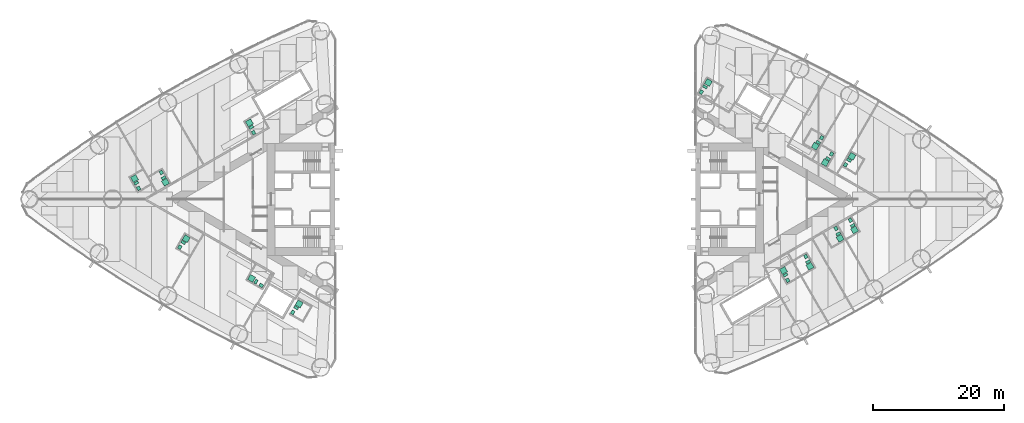
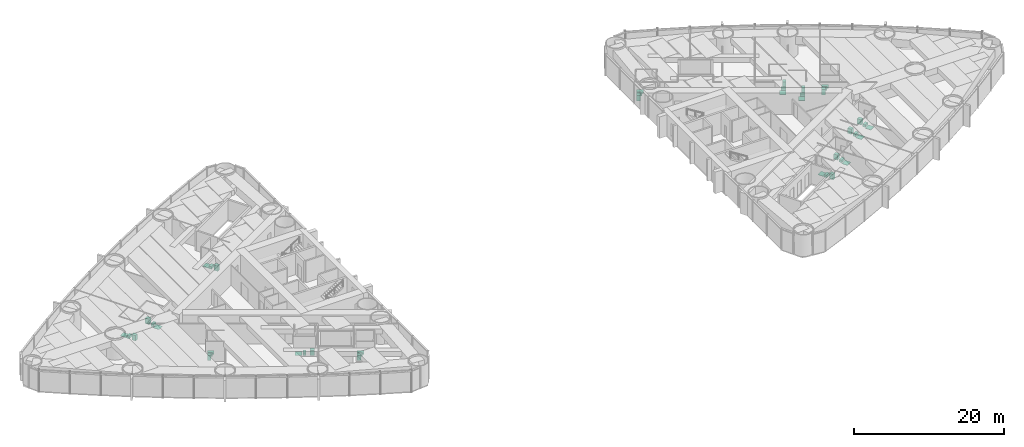
# One storey, part 19 of 19: 18 sanitary terminals.
"""IFC4 building model written with IfcOpenShell, lengths in metres."""

from ifc_helpers import new_model, si_unit, direction, frame, origin, origin_2d, place, context, subcontext, project, spatial, rectangle, extrude, material, type_object, element, save


model = new_model("IFC4")

# Units and contexts
model_context = context("Model", 3, precision=1e-05, world=origin(), true_north=direction((0.0, 1.0)))
body_context = subcontext(model_context, "Body", "Model", "MODEL_VIEW")
ifc_project = project(units=[si_unit("LENGTHUNIT", "METRE"), si_unit("AREAUNIT", "SQUARE_METRE"), si_unit("VOLUMEUNIT", "CUBIC_METRE"), si_unit("PLANEANGLEUNIT", "RADIAN"), si_unit("MASSUNIT", "GRAM", prefix="KILO")], contexts=[model_context])

# Site, building, storey
site_placement = place(None, origin())
site = spatial("IfcSite", under=ifc_project, at=site_placement, CompositionType="ELEMENT")
building_placement = place(site_placement, origin())
building = spatial("IfcBuilding", under=site, at=building_placement, Name="Lancet Gate Hotel", CompositionType="ELEMENT")
storey_placement = place(building_placement, frame((0.0, 0.0, 28.5)))
storey = spatial("IfcBuildingStorey", under=building, at=storey_placement, Name="L06", CompositionType="ELEMENT", Elevation=28.5)

# Sanitary terminals
ifc_material_1 = material(Name="Vitreous china sanitary ware")
sanitary_terminal_type_1 = type_object("IfcSanitaryTerminalType", Name="En-suite sanitary set (shower, WC, basin)", PredefinedType="USERDEFINED", material=ifc_material_1)
sanitary_terminal_1_placement = place(storey_placement, frame((-53.431396484375, 2.584716796875, 0.0), z_axis=(0.0, 0.0, 1.0), x_axis=(1.0, 0.0, 0.0)))
element("IfcSanitaryTerminal", 1, at=sanitary_terminal_1_placement, inside=storey, type_object=sanitary_terminal_type_1, Name="En-suite sanitary set (shower, WC, basin) 0603", ObjectType="EN-SUITE SANITARY SET", PredefinedType="USERDEFINED", context=body_context, shape_type="SweptSolid", body=[
    extrude(rectangle(XDim=0.89990234375, YDim=0.89990234375, at=origin_2d()), frame((0.0, 0.0, 0.0), z_axis=(0.0, 0.0, 1.0), x_axis=(0.5, -0.866025403784, 0.0)), (0.0, 0.0, 1.0), 0.050048828125),
    extrude(rectangle(XDim=0.39990234375, YDim=0.699951171875, at=origin_2d()), frame((-0.2783203125, 0.682373046875, 0.0), z_axis=(0.0, 0.0, 1.0), x_axis=(0.5, -0.866025403784, 0.0)), (0.0, 0.0, 1.0), 0.39990234375),
    extrude(rectangle(XDim=0.60009765625, YDim=0.5, at=origin_2d()), frame((-0.631591796875, 1.494384765625, 0.0), z_axis=(0.0, 0.0, 1.0), x_axis=(0.5, -0.866025403784, 0.0)), (0.0, 0.0, 1.0), 0.85009765625),
])
sanitary_terminal_2_placement = place(storey_placement, frame((-58.160888671875, 3.156494140625, 0.0), z_axis=(0.0, 0.0, 1.0), x_axis=(1.0, 0.0, 0.0)))
element("IfcSanitaryTerminal", 2, at=sanitary_terminal_2_placement, inside=storey, type_object=sanitary_terminal_type_1, Name="En-suite sanitary set (shower, WC, basin) 0604", ObjectType="EN-SUITE SANITARY SET", PredefinedType="USERDEFINED", context=body_context, shape_type="SweptSolid", body=[
    extrude(rectangle(XDim=0.89990234375, YDim=0.89990234375, at=origin_2d()), frame((0.0, 0.0, 0.0), z_axis=(0.0, 0.0, 1.0), x_axis=(-0.5, 0.866025403784, 0.0)), (0.0, 0.0, 1.0), 0.050048828125),
    extrude(rectangle(XDim=0.39990234375, YDim=0.699951171875, at=origin_2d()), frame((0.278564453125, -0.68212890625, 0.0), z_axis=(0.0, 0.0, 1.0), x_axis=(-0.5, 0.866025403784, 0.0)), (0.0, 0.0, 1.0), 0.39990234375),
    extrude(rectangle(XDim=0.60009765625, YDim=0.5, at=origin_2d()), frame((0.6318359375, -1.494140625, 0.0), z_axis=(0.0, 0.0, 1.0), x_axis=(-0.5, 0.866025403784, 0.0)), (0.0, 0.0, 1.0), 0.85009765625),
])
sanitary_terminal_3_placement = place(storey_placement, frame((-50.26171875, -6.031494140625, 0.0), z_axis=(0.0, 0.0, 1.0), x_axis=(1.0, 0.0, 0.0)))
element("IfcSanitaryTerminal", 3, at=sanitary_terminal_3_placement, inside=storey, type_object=sanitary_terminal_type_1, Name="En-suite sanitary set (shower, WC, basin) 0605", ObjectType="EN-SUITE SANITARY SET", PredefinedType="USERDEFINED", context=body_context, shape_type="SweptSolid", body=[
    extrude(rectangle(XDim=0.89990234375, YDim=0.89990234375, at=origin_2d()), frame((0.0, 0.0, 0.0), z_axis=(0.0, 0.0, 1.0), x_axis=(0.5, 0.866025403784, 0.0)), (0.0, 0.0, 1.0), 0.050048828125),
    extrude(rectangle(XDim=0.39990234375, YDim=0.699951171875, at=origin_2d()), frame((-0.451416015625, -0.58203125, 0.0), z_axis=(0.0, 0.0, 1.0), x_axis=(0.5, 0.866025403784, 0.0)), (0.0, 0.0, 1.0), 0.39990234375),
    extrude(rectangle(XDim=0.60009765625, YDim=0.5, at=origin_2d()), frame((-0.97802734375, -1.294189453125, 0.0), z_axis=(0.0, 0.0, 1.0), x_axis=(0.5, 0.866025403784, 0.0)), (0.0, 0.0, 1.0), 0.85009765625),
])
sanitary_terminal_4_placement = place(storey_placement, frame((-40.609619140625, 11.673095703125, 0.0), z_axis=(0.0, 0.0, 1.0), x_axis=(1.0, 0.0, 0.0)))
element("IfcSanitaryTerminal", 4, at=sanitary_terminal_4_placement, inside=storey, type_object=sanitary_terminal_type_1, Name="En-suite sanitary set (shower, WC, basin) 0602", ObjectType="EN-SUITE SANITARY SET", PredefinedType="USERDEFINED", context=body_context, shape_type="SweptSolid", body=[
    extrude(rectangle(XDim=0.89990234375, YDim=0.89990234375, at=origin_2d()), frame((0.0, 0.0, 0.0), z_axis=(0.0, 0.0, 1.0), x_axis=(-0.5, 0.866025403784, 0.0)), (0.0, 0.0, 1.0), 0.050048828125),
    extrude(rectangle(XDim=0.39990234375, YDim=0.699951171875, at=origin_2d()), frame((0.2783203125, -0.68212890625, 0.0), z_axis=(0.0, 0.0, 1.0), x_axis=(-0.5, 0.866025403784, 0.0)), (0.0, 0.0, 1.0), 0.39990234375),
    extrude(rectangle(XDim=0.60009765625, YDim=0.5, at=origin_2d()), frame((0.6318359375, -1.494140625, 0.0), z_axis=(0.0, 0.0, 1.0), x_axis=(-0.5, 0.866025403784, 0.0)), (0.0, 0.0, 1.0), 0.85009765625),
])
sanitary_terminal_5_placement = place(storey_placement, frame((-33.0107421875, -15.9912109375, 0.0), z_axis=(0.0, 0.0, 1.0), x_axis=(1.0, 0.0, 0.0)))
element("IfcSanitaryTerminal", 5, at=sanitary_terminal_5_placement, inside=storey, type_object=sanitary_terminal_type_1, Name="En-suite sanitary set (shower, WC, basin) 0608", ObjectType="EN-SUITE SANITARY SET", PredefinedType="USERDEFINED", context=body_context, shape_type="SweptSolid", body=[
    extrude(rectangle(XDim=0.89990234375, YDim=0.89990234375, at=origin_2d()), frame((0.0, 0.0, 0.0), z_axis=(0.0, 0.0, 1.0), x_axis=(0.5, 0.866025403784, 0.0)), (0.0, 0.0, 1.0), 0.050048828125),
    extrude(rectangle(XDim=0.39990234375, YDim=0.699951171875, at=origin_2d()), frame((-0.45166015625, -0.582275390625, 0.0), z_axis=(0.0, 0.0, 1.0), x_axis=(0.5, 0.866025403784, 0.0)), (0.0, 0.0, 1.0), 0.39990234375),
    extrude(rectangle(XDim=0.60009765625, YDim=0.5, at=origin_2d()), frame((-0.978271484375, -1.294189453125, 0.0), z_axis=(0.0, 0.0, 1.0), x_axis=(0.5, 0.866025403784, 0.0)), (0.0, 0.0, 1.0), 0.85009765625),
])
for number, where, z_axis, x_axis, name in (
    (6, (45.01220703125, -10.248046875, 0.0), (0.0, 0.0, 1.0), (1.0, 0.0, 0.0), "En-suite sanitary set (shower, WC, basin) 0654"),
    (7, (49.615966796875, -5.973388671875, 0.0), (0.0, 0.0, 1.0), (1.0, 0.0, 0.0), "En-suite sanitary set (shower, WC, basin) 0655"),
):
    element("IfcSanitaryTerminal", number, at=place(storey_placement, frame(where, z_axis=z_axis, x_axis=x_axis)), inside=storey, type_object=sanitary_terminal_type_1, Name=name, ObjectType="EN-SUITE SANITARY SET", PredefinedType="USERDEFINED", context=body_context, shape_type="SweptSolid", body=[
        extrude(rectangle(XDim=0.89990234375, YDim=0.89990234375, at=origin_2d()), frame((0.0, 0.0, 0.0), z_axis=(0.0, 0.0, 1.0), x_axis=(0.5, -0.866025403784, 0.0)), (0.0, 0.0, 1.0), 0.050048828125),
        extrude(rectangle(XDim=0.39990234375, YDim=0.699951171875, at=origin_2d()), frame((-0.278564453125, 0.68212890625, 0.0), z_axis=(0.0, 0.0, 1.0), x_axis=(0.5, -0.866025403784, 0.0)), (0.0, 0.0, 1.0), 0.39990234375),
        extrude(rectangle(XDim=0.60009765625, YDim=0.5, at=origin_2d()), frame((-0.6318359375, 1.494384765625, 0.0), z_axis=(0.0, 0.0, 1.0), x_axis=(0.5, -0.866025403784, 0.0)), (0.0, 0.0, 1.0), 0.85009765625),
    ])
sanitary_terminal_6_placement = place(storey_placement, frame((51.82421875, -4.698486328125, 0.0), z_axis=(0.0, 0.0, 1.0), x_axis=(1.0, 0.0, 0.0)))
element("IfcSanitaryTerminal", 8, at=sanitary_terminal_6_placement, inside=storey, type_object=sanitary_terminal_type_1, Name="En-suite sanitary set (shower, WC, basin) 0656", ObjectType="EN-SUITE SANITARY SET", PredefinedType="USERDEFINED", context=body_context, shape_type="SweptSolid", body=[
    extrude(rectangle(XDim=0.89990234375, YDim=0.89990234375, at=origin_2d()), frame((0.0, 0.0, 0.0), z_axis=(0.0, 0.0, 1.0), x_axis=(0.5, -0.866025403784, 0.0)), (0.0, 0.0, 1.0), 0.050048828125),
    extrude(rectangle(XDim=0.39990234375, YDim=0.699951171875, at=origin_2d()), frame((-0.2783203125, 0.682373046875, 0.0), z_axis=(0.0, 0.0, 1.0), x_axis=(0.5, -0.866025403784, 0.0)), (0.0, 0.0, 1.0), 0.39990234375),
    extrude(rectangle(XDim=0.60009765625, YDim=0.5, at=origin_2d()), frame((-0.6318359375, 1.494384765625, 0.0), z_axis=(0.0, 0.0, 1.0), x_axis=(0.5, -0.866025403784, 0.0)), (0.0, 0.0, 1.0), 0.85009765625),
])
sanitary_terminal_7_placement = place(storey_placement, frame((51.43310546875, 6.541015625, 0.0), z_axis=(0.0, 0.0, 1.0), x_axis=(1.0, 0.0, 0.0)))
element("IfcSanitaryTerminal", 9, at=sanitary_terminal_7_placement, inside=storey, type_object=sanitary_terminal_type_1, Name="En-suite sanitary set (shower, WC, basin) 0658", ObjectType="EN-SUITE SANITARY SET", PredefinedType="USERDEFINED", context=body_context, shape_type="SweptSolid", body=[
    extrude(rectangle(XDim=0.89990234375, YDim=0.89990234375, at=origin_2d()), frame((0.0, 0.0, 0.0), z_axis=(0.0, 0.0, 1.0), x_axis=(0.5, 0.866025403784, 0.0)), (0.0, 0.0, 1.0), 0.050048828125),
    extrude(rectangle(XDim=0.39990234375, YDim=0.699951171875, at=origin_2d()), frame((-0.45166015625, -0.582275390625, 0.0), z_axis=(0.0, 0.0, 1.0), x_axis=(0.5, 0.866025403784, 0.0)), (0.0, 0.0, 1.0), 0.39990234375),
    extrude(rectangle(XDim=0.60009765625, YDim=0.5, at=origin_2d()), frame((-0.978271484375, -1.29443359375, 0.0), z_axis=(0.0, 0.0, 1.0), x_axis=(0.5, 0.866025403784, 0.0)), (0.0, 0.0, 1.0), 0.85009765625),
])
sanitary_terminal_8_placement = place(storey_placement, frame((47.337646484375, 5.602783203125, 0.0), z_axis=(0.0, 0.0, 1.0), x_axis=(1.0, 0.0, 0.0)))
element("IfcSanitaryTerminal", 10, at=sanitary_terminal_8_placement, inside=storey, type_object=sanitary_terminal_type_1, Name="En-suite sanitary set (shower, WC, basin) 0660", ObjectType="EN-SUITE SANITARY SET", PredefinedType="USERDEFINED", context=body_context, shape_type="SweptSolid", body=[
    extrude(rectangle(XDim=0.89990234375, YDim=0.89990234375, at=origin_2d()), frame((0.0, 0.0, 0.0), z_axis=(0.0, 0.0, 1.0), x_axis=(-0.5, -0.866025403784, 0.0)), (0.0, 0.0, 1.0), 0.050048828125),
    extrude(rectangle(XDim=0.39990234375, YDim=0.699951171875, at=origin_2d()), frame((0.45166015625, 0.582275390625, 0.0), z_axis=(0.0, 0.0, 1.0), x_axis=(-0.5, -0.866025403784, 0.0)), (0.0, 0.0, 1.0), 0.39990234375),
    extrude(rectangle(XDim=0.60009765625, YDim=0.5, at=origin_2d()), frame((0.978271484375, 1.29443359375, 0.0), z_axis=(0.0, 0.0, 1.0), x_axis=(-0.5, -0.866025403784, 0.0)), (0.0, 0.0, 1.0), 0.85009765625),
])
sanitary_terminal_9_placement = place(storey_placement, frame((45.829345703125, 8.09033203125, 0.0), z_axis=(0.0, 0.0, 1.0), x_axis=(1.0, 0.0, 0.0)))
element("IfcSanitaryTerminal", 11, at=sanitary_terminal_9_placement, inside=storey, type_object=sanitary_terminal_type_1, Name="En-suite sanitary set (shower, WC, basin) 0661", ObjectType="EN-SUITE SANITARY SET", PredefinedType="USERDEFINED", context=body_context, shape_type="SweptSolid", body=[
    extrude(rectangle(XDim=0.89990234375, YDim=0.89990234375, at=origin_2d()), frame((0.0, 0.0, 0.0), z_axis=(0.0, 0.0, 1.0), x_axis=(-0.5, -0.866025403784, 0.0)), (0.0, 0.0, 1.0), 0.050048828125),
    extrude(rectangle(XDim=0.39990234375, YDim=0.699951171875, at=origin_2d()), frame((0.45166015625, 0.582275390625, 0.0), z_axis=(0.0, 0.0, 1.0), x_axis=(-0.5, -0.866025403784, 0.0)), (0.0, 0.0, 1.0), 0.39990234375),
    extrude(rectangle(XDim=0.60009765625, YDim=0.5, at=origin_2d()), frame((0.978271484375, 1.294189453125, 0.0), z_axis=(0.0, 0.0, 1.0), x_axis=(-0.5, -0.866025403784, 0.0)), (0.0, 0.0, 1.0), 0.85009765625),
])
sanitary_terminal_10_placement = place(storey_placement, frame((40.982666015625, -10.888671875, 0.0), z_axis=(0.0, 0.0, 1.0), x_axis=(1.0, 0.0, 0.0)))
element("IfcSanitaryTerminal", 12, at=sanitary_terminal_10_placement, inside=storey, type_object=sanitary_terminal_type_1, Name="En-suite sanitary set (shower, WC, basin) 0653", ObjectType="EN-SUITE SANITARY SET", PredefinedType="USERDEFINED", context=body_context, shape_type="SweptSolid", body=[
    extrude(rectangle(XDim=0.89990234375, YDim=0.89990234375, at=origin_2d()), frame((0.0, 0.0, 0.0), z_axis=(0.0, 0.0, 1.0), x_axis=(-0.5, 0.866025403784, 0.0)), (0.0, 0.0, 1.0), 0.050048828125),
    extrude(rectangle(XDim=0.39990234375, YDim=0.699951171875, at=origin_2d()), frame((0.2783203125, -0.68212890625, 0.0), z_axis=(0.0, 0.0, 1.0), x_axis=(-0.5, 0.866025403784, 0.0)), (0.0, 0.0, 1.0), 0.39990234375),
    extrude(rectangle(XDim=0.60009765625, YDim=0.5, at=origin_2d()), frame((0.6318359375, -1.494140625, 0.0), z_axis=(0.0, 0.0, 1.0), x_axis=(-0.5, 0.866025403784, 0.0)), (0.0, 0.0, 1.0), 0.85009765625),
])
ifc_material_2 = material(Name="Stone resin shower tray", Category="masonry")
sanitary_terminal_type_2 = type_object("IfcSanitaryTerminalType", Name="Shower tray 900", PredefinedType="SHOWER", material=ifc_material_2)
for number, where, z_axis, x_axis, name in (
    (13, (-40.2763671875, -12.0966796875, 0.0), (0.0, 0.0, 1.0), (-0.866025403784, 0.5, 0.0), "Shower tray 900 0607"),
    (14, (29.490478515625, 17.82373046875, 0.0), (0.0, 0.0, 1.0), (0.5, 0.866025403784, 0.0), "Shower tray 900 0664"),
):
    element("IfcSanitaryTerminal", number, at=place(storey_placement, frame(where, z_axis=z_axis, x_axis=x_axis)), inside=storey, type_object=sanitary_terminal_type_2, Name=name, PredefinedType="SHOWER", context=body_context, shape_type="SweptSolid", body=[
        extrude(rectangle(XDim=0.89990234375, YDim=0.89990234375, at=origin_2d()), origin(), (0.0, 0.0, 1.0), 0.050048828125),
    ])
ifc_material_3 = material(Name="Vitreous china sanitary ware")
sanitary_terminal_type_3 = type_object("IfcSanitaryTerminalType", Name="Vanity basin 600", PredefinedType="WASHHANDBASIN", material=ifc_material_3)
for number, where, z_axis, x_axis, name in (
    (15, (-38.808837890625, -13.1748046875, 0.0), (0.0, 0.0, 1.0), (-0.866025403784, 0.5, 0.0), "Vanity basin 600 0607"),
    (16, (28.412353515625, 16.356201171875, 0.0), (0.0, 0.0, 1.0), (0.5, 0.866025403784, 0.0), "Vanity basin 600 0664"),
):
    element("IfcSanitaryTerminal", number, at=place(storey_placement, frame(where, z_axis=z_axis, x_axis=x_axis)), inside=storey, type_object=sanitary_terminal_type_3, Name=name, PredefinedType="WASHHANDBASIN", context=body_context, shape_type="SweptSolid", body=[
        extrude(rectangle(XDim=0.60009765625, YDim=0.5, at=origin_2d()), origin(), (0.0, 0.0, 1.0), 0.85009765625),
    ])
ifc_material_4 = material(Name="Vitreous china sanitary ware")
sanitary_terminal_type_4 = type_object("IfcSanitaryTerminalType", Name="WC pan wall hung", PredefinedType="TOILETPAN", material=ifc_material_4)
for number, where, z_axis, x_axis, name in (
    (17, (-39.607421875, -12.59814453125, 0.0), (0.0, 0.0, 1.0), (-0.866025403784, 0.5, 0.0), "WC pan wall hung 0607"),
    (18, (28.989013671875, 17.155029296875, 0.0), (0.0, 0.0, 1.0), (0.5, 0.866025403784, 0.0), "WC pan wall hung 0664"),
):
    element("IfcSanitaryTerminal", number, at=place(storey_placement, frame(where, z_axis=z_axis, x_axis=x_axis)), inside=storey, type_object=sanitary_terminal_type_4, Name=name, PredefinedType="TOILETPAN", context=body_context, shape_type="SweptSolid", body=[
        extrude(rectangle(XDim=0.39990234375, YDim=0.699951171875, at=origin_2d()), origin(), (0.0, 0.0, 1.0), 0.39990234375),
    ])

save(model, "model.ifc")
